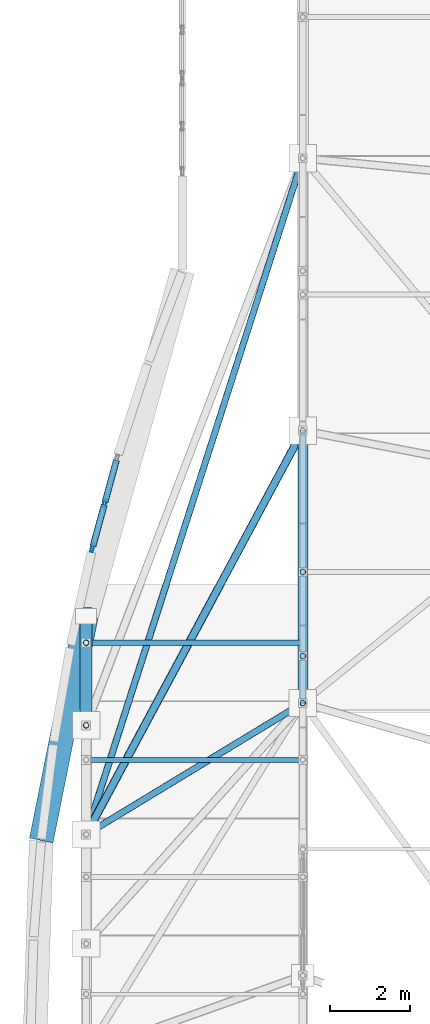
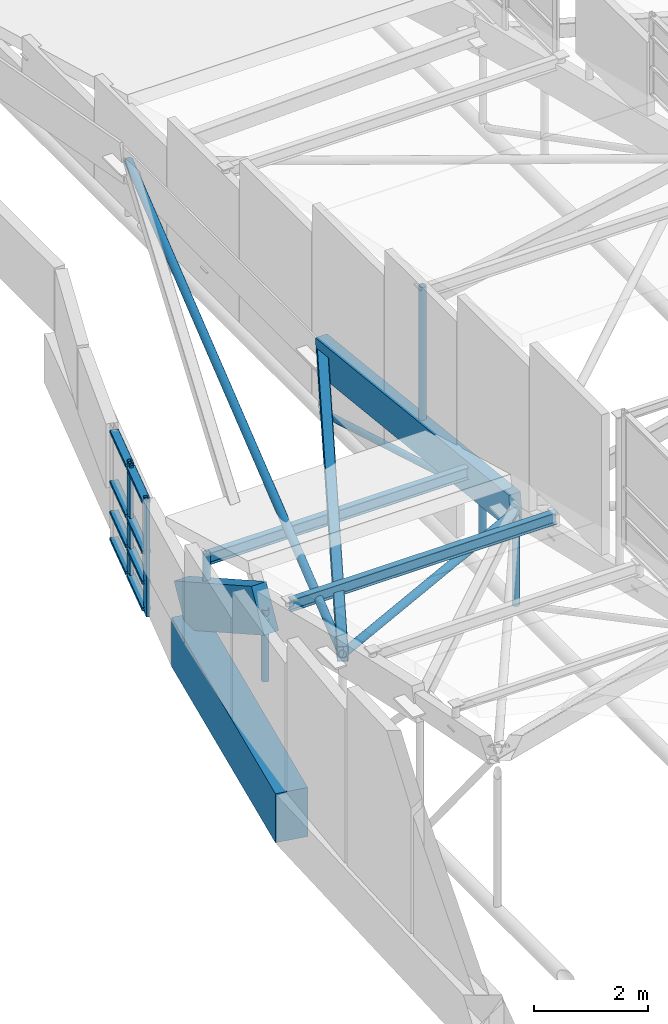
# One storey, part 45 of 188: 23 members, 1 beam, 1 element without a shape of its own.
"""IFC4 building model written with IfcOpenShell, lengths in metres."""

from ifc_helpers import new_model, si_unit, direction, frame, origin, origin_2d, place, context, subcontext, project, spatial, rectangle, hollow_rectangle, hollow_circle, i_section, extrude, material, layer, layer_set, material_profile, profile_set, type_object, element, aggregate, save


model = new_model("IFC4")

# Units and contexts
model_context = context("Model", 3, precision=1e-05, world=origin(), true_north=direction((0.0, 1.0)))
body_context = subcontext(model_context, "Body", "Model", "MODEL_VIEW")
ifc_project = project(units=[si_unit("LENGTHUNIT", "METRE"), si_unit("AREAUNIT", "SQUARE_METRE"), si_unit("VOLUMEUNIT", "CUBIC_METRE"), si_unit("PLANEANGLEUNIT", "RADIAN"), si_unit("MASSUNIT", "GRAM", prefix="KILO")], contexts=[model_context])

# Site, building, storey
site_placement = place(None, origin())
site = spatial("IfcSite", under=ifc_project, at=site_placement, CompositionType="ELEMENT")
building_placement = place(site_placement, origin())
building = spatial("IfcBuilding", under=site, at=building_placement, Name="Kisaragi Civic Commons", CompositionType="ELEMENT")
storey_placement = place(building_placement, frame((0.0, 0.0, 9.60009765625)))
storey = spatial("IfcBuildingStorey", under=building, at=storey_placement, Name="L02", CompositionType="ELEMENT", Elevation=9.60009765625)

# Members
ifc_material_1 = material(Name="Steel SN400 (SN400B)", Category="steel")
ifc_material_profile_1 = material_profile(ifc_material_1, hollow_circle(Radius=0.08251953125, WallThickness=0.006103515625, at=origin_2d()), Name="CHS-165.2x6.0", Category="steel")
ifc_profile_set_1 = profile_set([ifc_material_profile_1], Name="Steel SN400 (SN400B)")
member_type_1 = type_object("IfcMemberType", Name="BR-02", PredefinedType="BRACE", material=ifc_profile_set_1)
member_1_placement = place(storey_placement, frame((1.39990234375, 38.75390625, 2.126953125), z_axis=(0.847932879926, 0.514187970453, -0.128920759311), x_axis=(-0.51851503099, 0.855068513417, 0.0)))
element("IfcMember", 1, at=member_1_placement, inside=storey, type_object=member_type_1, Name="V1 diagonal gridshell steel brace 5", PredefinedType="BRACE", context=body_context, shape_type="SweptSolid", body=[
    extrude(hollow_circle(Radius=0.08251953125, WallThickness=0.006103515625, at=origin_2d()), origin(), (0.0, 0.0, 1.0), 6.36865234375),
])
member_2_placement = place(storey_placement, frame((1.39990234375, 38.75390625, 2.126953125), z_axis=(0.303921993392, 0.948644981498, -0.087773122374), x_axis=(-0.952320470361, 0.305099527584, 0.0)))
element("IfcMember", 2, at=member_2_placement, inside=storey, type_object=member_type_1, Name="V1 diagonal gridshell steel brace 6", PredefinedType="BRACE", context=body_context, shape_type="SweptSolid", body=[
    extrude(hollow_circle(Radius=0.08251953125, WallThickness=0.006103515625, at=origin_2d()), origin(), (0.0, 0.0, 1.0), 17.768310546875),
])

# Curtain wall, members
ifc_material_2 = material(Name="Thermally broken anodized aluminium and low-E double glazing", Category="aluminium")
ifc_layer = layer(ifc_material_2, 0.2099609375, Name="Thermally broken anodized aluminium and low-E double glazing", Category="aluminium")
ifc_layer_set = layer_set([ifc_layer], Name="Thermally broken anodized aluminium and low-E double glazing")
curtain_wall_type = type_object("IfcCurtainWallType", Name="CW-02", PredefinedType="NOTDEFINED", material=ifc_layer_set)
curtain_wall_placement = place(storey_placement, origin())
curtain_wall = element("IfcCurtainWall", 3, at=curtain_wall_placement, inside=storey, type_object=curtain_wall_type, Name="L02 curtain wall CW-02 CW-GAB-V1-171", PredefinedType="NOTDEFINED")
ifc_material_profile_2 = material_profile(ifc_material_2, hollow_rectangle(XDim=0.070068359375, YDim=0.2099609375, WallThickness=0.0048828125, InnerFilletRadius=0.0048828125, OuterFilletRadius=0.010009765625, at=origin_2d()), Name="CWM-70x210x5", Category="aluminium")
ifc_profile_set_2 = profile_set([ifc_material_profile_2], Name="Thermally broken anodized aluminium and low-E double glazing")
member_type_2 = type_object("IfcMemberType", Name="CWM-03", PredefinedType="MULLION", material=ifc_profile_set_2)
member_3_placement = place(storey_placement, frame((1.558837890625, 45.89892578125, -1.399169921875), z_axis=(0.0, 0.0, 1.0), x_axis=(-0.964681825251, 0.263417873406, 0.0)))
member_3 = element("IfcMember", 4, at=member_3_placement, type_object=member_type_2, Name="CW-02 mullion 1", PredefinedType="MULLION", context=body_context, shape_type="SweptSolid", body=[
    extrude(hollow_rectangle(XDim=0.070068359375, YDim=0.2099609375, WallThickness=0.0048828125, InnerFilletRadius=0.0048828125, OuterFilletRadius=0.010009765625, at=origin_2d()), origin(), (0.0, 0.0, 1.0), 2.461181640625),
])
member_4_placement = place(storey_placement, frame((1.861083984375, 47.006103515625, -1.399169921875), z_axis=(0.0, 0.0, 1.0), x_axis=(-0.964681825251, 0.263417873406, 0.0)))
member_4 = element("IfcMember", 5, at=member_4_placement, type_object=member_type_2, Name="CW-02 mullion 2", PredefinedType="MULLION", context=body_context, shape_type="SweptSolid", body=[
    extrude(hollow_rectangle(XDim=0.070068359375, YDim=0.2099609375, WallThickness=0.0048828125, InnerFilletRadius=0.0048828125, OuterFilletRadius=0.010009765625, at=origin_2d()), origin(), (0.0, 0.0, 1.0), 2.461181640625),
])
ifc_material_profile_3 = material_profile(ifc_material_2, hollow_rectangle(XDim=0.159912109375, YDim=0.070068359375, WallThickness=0.0048828125, InnerFilletRadius=0.0048828125, OuterFilletRadius=0.010009765625, at=origin_2d()), Name="CWT-70x160x5", Category="aluminium")
ifc_profile_set_3 = profile_set([ifc_material_profile_3], Name="Thermally broken anodized aluminium and low-E double glazing")
member_type_3 = type_object("IfcMemberType", Name="CWT-03", PredefinedType="USERDEFINED", material=ifc_profile_set_3)
member_5_placement = place(storey_placement, frame((1.56787109375, 45.9326171875, -1.319091796875), z_axis=(0.263481615215, 0.964664417528, 0.0), x_axis=(-0.964664417528, 0.263481615215, 0.0)))
member_5 = element("IfcMember", 6, at=member_5_placement, type_object=member_type_3, Name="CW-02 transom 1.1", ObjectType="TRANSOM", PredefinedType="USERDEFINED", context=body_context, shape_type="SweptSolid", body=[
    extrude(hollow_rectangle(XDim=0.159912109375, YDim=0.070068359375, WallThickness=0.0048828125, InnerFilletRadius=0.0048828125, OuterFilletRadius=0.010009765625, at=origin_2d()), origin(), (0.0, 0.0, 1.0), 1.07763671875),
])
member_6_placement = place(storey_placement, frame((1.56787109375, 45.9326171875, -0.7490234375), z_axis=(0.263481615215, 0.964664417528, 0.0), x_axis=(-0.964664417528, 0.263481615215, 0.0)))
member_6 = element("IfcMember", 7, at=member_6_placement, type_object=member_type_3, Name="CW-02 transom 1.2", ObjectType="TRANSOM", PredefinedType="USERDEFINED", context=body_context, shape_type="SweptSolid", body=[
    extrude(hollow_rectangle(XDim=0.159912109375, YDim=0.070068359375, WallThickness=0.0048828125, InnerFilletRadius=0.0048828125, OuterFilletRadius=0.010009765625, at=origin_2d()), origin(), (0.0, 0.0, 1.0), 1.07763671875),
])
member_7_placement = place(storey_placement, frame((1.56787109375, 45.9326171875, -0.09912109375), z_axis=(0.263481615215, 0.964664417528, 0.0), x_axis=(-0.964664417528, 0.263481615215, 0.0)))
member_7 = element("IfcMember", 8, at=member_7_placement, type_object=member_type_3, Name="CW-02 transom 1.3", ObjectType="TRANSOM", PredefinedType="USERDEFINED", context=body_context, shape_type="SweptSolid", body=[
    extrude(hollow_rectangle(XDim=0.159912109375, YDim=0.070068359375, WallThickness=0.0048828125, InnerFilletRadius=0.0048828125, OuterFilletRadius=0.010009765625, at=origin_2d()), origin(), (0.0, 0.0, 1.0), 1.07763671875),
])
member_8_placement = place(storey_placement, frame((1.56787109375, 45.9326171875, 0.98193359375), z_axis=(0.263481615215, 0.964664417528, 0.0), x_axis=(-0.964664417528, 0.263481615215, 0.0)))
member_8 = element("IfcMember", 9, at=member_8_placement, type_object=member_type_3, Name="CW-02 transom 1.4", ObjectType="TRANSOM", PredefinedType="USERDEFINED", context=body_context, shape_type="SweptSolid", body=[
    extrude(hollow_rectangle(XDim=0.159912109375, YDim=0.070068359375, WallThickness=0.0048828125, InnerFilletRadius=0.0048828125, OuterFilletRadius=0.010009765625, at=origin_2d()), origin(), (0.0, 0.0, 1.0), 1.07763671875),
])
member_9_placement = place(storey_placement, frame((1.870361328125, 47.039794921875, -1.319091796875), z_axis=(0.263213238786, 0.964737679853, 0.0), x_axis=(-0.964737679853, 0.263213238786, 0.0)))
member_9 = element("IfcMember", 10, at=member_9_placement, type_object=member_type_3, Name="CW-02 transom 2.1", ObjectType="TRANSOM", PredefinedType="USERDEFINED", context=body_context, shape_type="SweptSolid", body=[
    extrude(hollow_rectangle(XDim=0.159912109375, YDim=0.070068359375, WallThickness=0.0048828125, InnerFilletRadius=0.0048828125, OuterFilletRadius=0.010009765625, at=origin_2d()), origin(), (0.0, 0.0, 1.0), 1.077880859375),
])
member_10_placement = place(storey_placement, frame((1.870361328125, 47.039794921875, -0.7490234375), z_axis=(0.263213238786, 0.964737679853, 0.0), x_axis=(-0.964737679853, 0.263213238786, 0.0)))
member_10 = element("IfcMember", 11, at=member_10_placement, type_object=member_type_3, Name="CW-02 transom 2.2", ObjectType="TRANSOM", PredefinedType="USERDEFINED", context=body_context, shape_type="SweptSolid", body=[
    extrude(hollow_rectangle(XDim=0.159912109375, YDim=0.070068359375, WallThickness=0.0048828125, InnerFilletRadius=0.0048828125, OuterFilletRadius=0.010009765625, at=origin_2d()), origin(), (0.0, 0.0, 1.0), 1.077880859375),
])
member_11_placement = place(storey_placement, frame((1.870361328125, 47.039794921875, -0.09912109375), z_axis=(0.263213238786, 0.964737679853, 0.0), x_axis=(-0.964737679853, 0.263213238786, 0.0)))
member_11 = element("IfcMember", 12, at=member_11_placement, type_object=member_type_3, Name="CW-02 transom 2.3", ObjectType="TRANSOM", PredefinedType="USERDEFINED", context=body_context, shape_type="SweptSolid", body=[
    extrude(hollow_rectangle(XDim=0.159912109375, YDim=0.070068359375, WallThickness=0.0048828125, InnerFilletRadius=0.0048828125, OuterFilletRadius=0.010009765625, at=origin_2d()), origin(), (0.0, 0.0, 1.0), 1.077880859375),
])
member_12_placement = place(storey_placement, frame((1.870361328125, 47.039794921875, 0.98193359375), z_axis=(0.263213238786, 0.964737679853, 0.0), x_axis=(-0.964737679853, 0.263213238786, 0.0)))
member_12 = element("IfcMember", 13, at=member_12_placement, type_object=member_type_3, Name="CW-02 transom 2.4", ObjectType="TRANSOM", PredefinedType="USERDEFINED", context=body_context, shape_type="SweptSolid", body=[
    extrude(hollow_rectangle(XDim=0.159912109375, YDim=0.070068359375, WallThickness=0.0048828125, InnerFilletRadius=0.0048828125, OuterFilletRadius=0.010009765625, at=origin_2d()), origin(), (0.0, 0.0, 1.0), 1.077880859375),
])
aggregate(curtain_wall, [member_3, member_4, member_5, member_6, member_7, member_8, member_9, member_10, member_11, member_12])

# Beam
ifc_material_3 = material(Name="Concrete Fc36", Category="concrete")
ifc_material_profile_4 = material_profile(ifc_material_3, rectangle(XDim=0.60009765625, YDim=1.050048828125, at=origin_2d()), Name="RC-600x1050", Category="concrete")
ifc_profile_set_4 = profile_set([ifc_material_profile_4], Name="Concrete Fc36")
beam_type = type_object("IfcBeamType", Name="G-06", PredefinedType="BEAM", material=ifc_profile_set_4)
beam_placement = place(storey_placement, frame((1.39990234375, 44.1923828125, -0.84521484375), z_axis=(-0.196289136479, -0.980546059551, 0.0), x_axis=(0.980546059551, -0.196289136479, 0.0)))
element("IfcBeam", 14, at=beam_placement, inside=storey, type_object=beam_type, Name="L02 curved spandrel/ring girder G-06 257", PredefinedType="BEAM", context=body_context, shape_type="SweptSolid", body=[
    extrude(rectangle(XDim=0.60009765625, YDim=1.050048828125, at=origin_2d()), origin(), (0.0, 0.0, 1.0), 5.698974609375),
])

# Members
ifc_material_4 = material(Name="Steel SN490 (SN490B)", Category="steel")
ifc_material_profile_5 = material_profile(ifc_material_4, hollow_rectangle(XDim=0.199951171875, YDim=0.300048828125, WallThickness=0.009033203125, InnerFilletRadius=0.009033203125, OuterFilletRadius=0.01806640625, at=origin_2d()), Name="STKR-300x200x9", Category="steel")
ifc_profile_set_5 = profile_set([ifc_material_profile_5], Name="Steel SN490 (SN490B)")
member_type_4 = type_object("IfcMemberType", Name="GC-02", PredefinedType="CHORD", material=ifc_profile_set_5)
member_13_placement = place(storey_placement, frame((1.39990234375, 38.75390625, 2.126953125), z_axis=(0.468425044124, 0.873084646418, -0.135281847365), x_axis=(-0.881185244284, 0.47277115527, 0.0)))
element("IfcMember", 15, at=member_13_placement, inside=storey, type_object=member_type_4, Name="V1 wave gridshell chord GC-02 6", PredefinedType="CHORD", context=body_context, shape_type="SweptSolid", body=[
    extrude(hollow_rectangle(XDim=0.199951171875, YDim=0.300048828125, WallThickness=0.009033203125, InnerFilletRadius=0.009033203125, OuterFilletRadius=0.01806640625, at=origin_2d()), origin(), (0.0, 0.0, 1.0), 11.5283203125),
])
ifc_material_5 = material(Name="Glulam E120-F330", Category="wood")
ifc_material_profile_6 = material_profile(ifc_material_5, rectangle(XDim=0.239990234375, YDim=0.719970703125, at=origin_2d()), Name="GL-240x720", Category="wood")
ifc_profile_set_6 = profile_set([ifc_material_profile_6], Name="Glulam E120-F330")
member_type_5 = type_object("IfcMemberType", Name="GR-02", PredefinedType="RAFTER", material=ifc_profile_set_6)
member_14_placement = place(storey_placement, frame((6.800048828125, 42.028564453125, 1.305908203125), z_axis=(0.0, 0.994137783478, -0.108120615338), x_axis=(-1.0, 0.0, 0.0)))
element("IfcMember", 16, at=member_14_placement, inside=storey, type_object=member_type_5, Name="V1 glulam arch rib GR-02 14", PredefinedType="RAFTER", context=body_context, shape_type="SweptSolid", body=[
    extrude(rectangle(XDim=0.239990234375, YDim=0.719970703125, at=origin_2d()), origin(), (0.0, 0.0, 1.0), 6.83056640625),
])
ifc_material_profile_7 = material_profile(ifc_material_5, rectangle(XDim=0.300048828125, YDim=0.89990234375, at=origin_2d()), Name="GL-300x900", Category="wood")
ifc_profile_set_7 = profile_set([ifc_material_profile_7], Name="Glulam E120-F330")
member_type_6 = type_object("IfcMemberType", Name="GR-07", PredefinedType="RAFTER", material=ifc_profile_set_7)
member_15_placement = place(storey_placement, frame((1.39990234375, 41.47314453125, 1.45166015625), z_axis=(0.0, 0.871278723129, -0.490788535546), x_axis=(-1.0, 0.0, 0.0)))
element("IfcMember", 17, at=member_15_placement, inside=storey, type_object=member_type_6, Name="V1 glulam arch rib GR-07 8", PredefinedType="RAFTER", context=body_context, shape_type="SweptSolid", body=[
    extrude(rectangle(XDim=0.300048828125, YDim=0.89990234375, at=origin_2d()), origin(), (0.0, 0.0, 1.0), 3.12109375),
])
ifc_material_profile_8 = material_profile(ifc_material_1, i_section(OverallWidth=0.125, OverallDepth=0.25, WebThickness=0.006103515625, FlangeThickness=0.009033203125, FilletRadius=0.008056640625, at=origin_2d()), Name="H-250x125x6x9", Category="steel")
ifc_profile_set_8 = profile_set([ifc_material_profile_8], Name="Steel SN400 (SN400B)")
member_type_7 = type_object("IfcMemberType", Name="PR-01", PredefinedType="PURLIN", material=ifc_profile_set_8)
for number, where, z_axis, x_axis, name in (
    (18, (1.39990234375, 40.613525390625, 2.056884765625), (1.0, 0.0, 0.0), (0.0, 1.0, 0.0), "V1 wave vault steel purlin 7"),
    (19, (1.39990234375, 43.53271484375, 1.28466796875), (1.0, 0.0, 0.0), (0.0, 1.0, 0.0), "V1 wave vault steel purlin 8"),
):
    element("IfcMember", number, at=place(storey_placement, frame(where, z_axis=z_axis, x_axis=x_axis)), inside=storey, type_object=member_type_7, Name=name, PredefinedType="PURLIN", context=body_context, shape_type="SweptSolid", body=[
        extrude(i_section(OverallWidth=0.125, OverallDepth=0.25, WebThickness=0.006103515625, FlangeThickness=0.009033203125, FilletRadius=0.008056640625, at=origin_2d()), origin(), (0.0, 0.0, 1.0), 5.400146484375),
    ])
ifc_material_profile_9 = material_profile(ifc_material_4, hollow_circle(Radius=0.06982421875, WallThickness=0.006103515625, at=origin_2d()), Name="CHS-139.8x6.0", Category="steel")
ifc_profile_set_9 = profile_set([ifc_material_profile_9], Name="Steel SN490 (SN490B)")
member_type_8 = type_object("IfcMemberType", Name="ST-H1", PredefinedType="STRUT", material=ifc_profile_set_9)
member_16_placement = place(storey_placement, frame((1.39990234375, 41.47314453125, -0.080078125), z_axis=(0.0, 0.0, 1.0), x_axis=(1.0, 0.0, 0.0)))
element("IfcMember", 20, at=member_16_placement, inside=storey, type_object=member_type_8, Name="V1 arch tie hanger strut 8", PredefinedType="STRUT", context=body_context, shape_type="SweptSolid", body=[
    extrude(hollow_circle(Radius=0.06982421875, WallThickness=0.006103515625, at=origin_2d()), origin(), (0.0, 0.0, 1.0), 1.53173828125),
])
member_17_placement = place(storey_placement, frame((6.800048828125, 42.028564453125, -0.691162109375), z_axis=(0.0, 0.0, 1.0), x_axis=(1.0, 0.0, 0.0)))
element("IfcMember", 21, at=member_17_placement, inside=storey, type_object=member_type_8, Name="V1 arch tie hanger strut 20", PredefinedType="STRUT", context=body_context, shape_type="SweptSolid", body=[
    extrude(hollow_circle(Radius=0.06982421875, WallThickness=0.006103515625, at=origin_2d()), origin(), (0.0, 0.0, 1.0), 1.9970703125),
])
member_18_placement = place(storey_placement, frame((6.800048828125, 48.819091796875, -0.691162109375), z_axis=(0.0, -0.959370993806, 0.282147649721), x_axis=(1.0, 0.0, 0.0)))
element("IfcMember", 22, at=member_18_placement, inside=storey, type_object=member_type_8, Name="V1 tied arch truss diagonal web strut 27", PredefinedType="STRUT", context=body_context, shape_type="SweptSolid", body=[
    extrude(hollow_circle(Radius=0.06982421875, WallThickness=0.006103515625, at=origin_2d()), origin(), (0.0, 0.0, 1.0), 7.078125),
])
member_19_placement = place(storey_placement, frame((6.800048828125, 43.199951171875, -0.02001953125), z_axis=(0.0, 0.0, 1.0), x_axis=(1.0, 0.0, 0.0)))
element("IfcMember", 23, at=member_19_placement, inside=storey, type_object=member_type_8, Name="V1 interior column arch support post (6.8,43.2)", PredefinedType="STRUT", context=body_context, shape_type="SweptSolid", body=[
    extrude(hollow_circle(Radius=0.06982421875, WallThickness=0.006103515625, at=origin_2d()), origin(), (0.0, 0.0, 1.0), 1.19873046875),
])
member_20_placement = place(storey_placement, frame((1.39990234375, 43.53271484375, 0.29150390625), z_axis=(0.0, 0.0, 1.0), x_axis=(1.0, 0.0, 0.0)))
element("IfcMember", 24, at=member_20_placement, inside=storey, type_object=member_type_8, Name="V1 clerestory monitor horizontal tie strut 1.0.8", PredefinedType="STRUT", context=body_context, shape_type="SweptSolid", body=[
    extrude(hollow_circle(Radius=0.06982421875, WallThickness=0.006103515625, at=origin_2d()), origin(), (0.0, 0.0, 1.0), 1.1181640625),
])
member_21_placement = place(storey_placement, frame((6.800048828125, 45.297607421875, 0.950439453125), z_axis=(0.0, 0.0, 1.0), x_axis=(1.0, 0.0, 0.0)))
element("IfcMember", 25, at=member_21_placement, inside=storey, type_object=member_type_8, Name="V1 clerestory monitor horizontal tie strut 2.1.6", PredefinedType="STRUT", context=body_context, shape_type="SweptSolid", body=[
    extrude(hollow_circle(Radius=0.06982421875, WallThickness=0.006103515625, at=origin_2d()), origin(), (0.0, 0.0, 1.0), 3.2099609375),
])

save(model, "model.ifc")
